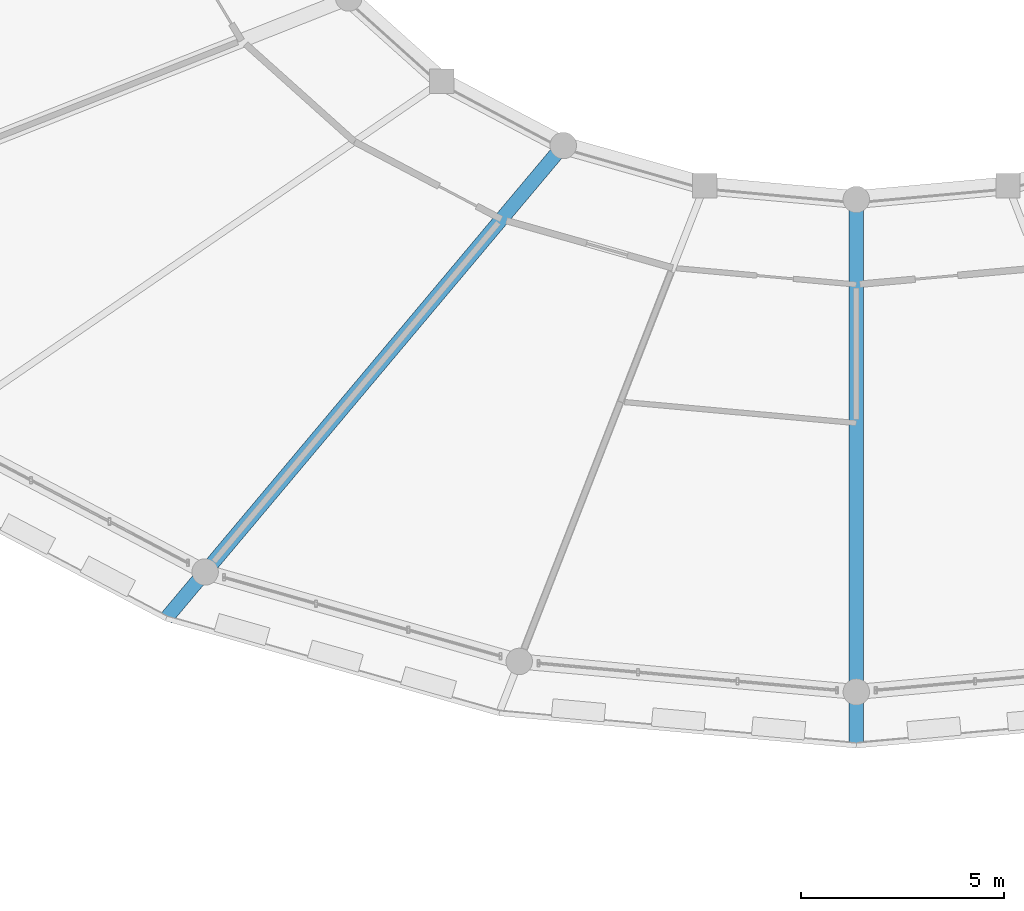
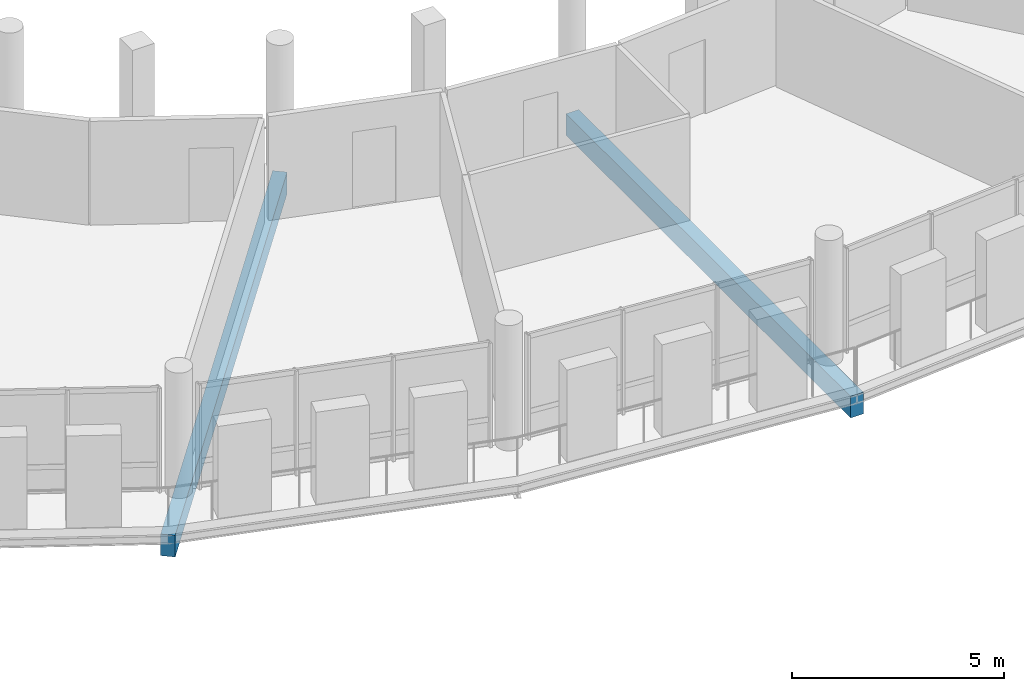
# One storey, part 23 of 93: 2 beams.
"""IFC4 building model written with IfcOpenShell, lengths in metres."""

from ifc_helpers import new_model, si_unit, direction, frame, origin, origin_2d, place, context, subcontext, project, spatial, rectangle, extrude, material, material_profile, profile_set, type_object, element, save


model = new_model("IFC4")

# Units and contexts
model_context = context("Model", 3, precision=1e-05, world=origin(), true_north=direction((0.0, 1.0)))
body_context = subcontext(model_context, "Body", "Model", "MODEL_VIEW")
ifc_project = project(units=[si_unit("LENGTHUNIT", "METRE"), si_unit("AREAUNIT", "SQUARE_METRE"), si_unit("VOLUMEUNIT", "CUBIC_METRE"), si_unit("PLANEANGLEUNIT", "RADIAN"), si_unit("MASSUNIT", "GRAM", prefix="KILO")], contexts=[model_context])

# Site, building, storey
site_placement = place(None, origin())
site = spatial("IfcSite", under=ifc_project, at=site_placement, CompositionType="ELEMENT")
building_placement = place(site_placement, origin())
building = spatial("IfcBuilding", under=site, at=building_placement, Name="Zornivar Specialist Clinic", CompositionType="ELEMENT")
storey_placement = place(building_placement, frame((0.0, 0.0, 8.39990234375)))
storey = spatial("IfcBuildingStorey", under=building, at=storey_placement, Name="L02", CompositionType="ELEMENT", Elevation=8.39990234375)

# Beams
ifc_material = material(Name="Concrete C30/37", Category="concrete")
ifc_material_profile = material_profile(ifc_material, rectangle(XDim=0.35009765625, YDim=0.6201171875, at=origin_2d()), Name="RC 350x620")
ifc_profile_set = profile_set([ifc_material_profile], Name="Concrete C30/37")
beam_type = type_object("IfcBeamType", Name="BM-RC-CANT-350x620", PredefinedType="BEAM", material=ifc_profile_set)
beam_1_placement = place(storey_placement, frame((86.39990234375, 49.02587890625, -0.5498046875), z_axis=(-0.643102291661, -0.765780283411, 0.0), x_axis=(0.765780283411, -0.643102291661, 0.0)))
element("IfcBeam", 1, at=beam_1_placement, inside=storey, type_object=beam_type, Name="bm:V1:L02:radcant:16", PredefinedType="BEAM", context=body_context, shape_type="SweptSolid", body=[
    extrude(rectangle(XDim=0.35009765625, YDim=0.6201171875, at=origin_2d()), origin(), (0.0, 0.0, 1.0), 15.176513671875),
])
beam_2_placement = place(storey_placement, frame((93.60009765625, 47.699951171875, -0.5498046875), z_axis=(0.0, -1.0, 0.0), x_axis=(1.0, 0.0, 0.0)))
element("IfcBeam", 2, at=beam_2_placement, inside=storey, type_object=beam_type, Name="bm:V1:L02:radcant:18", PredefinedType="BEAM", context=body_context, shape_type="SweptSolid", body=[
    extrude(rectangle(XDim=0.35009765625, YDim=0.6201171875, at=origin_2d()), origin(), (0.0, 0.0, 1.0), 13.419921875),
])

save(model, "model.ifc")
